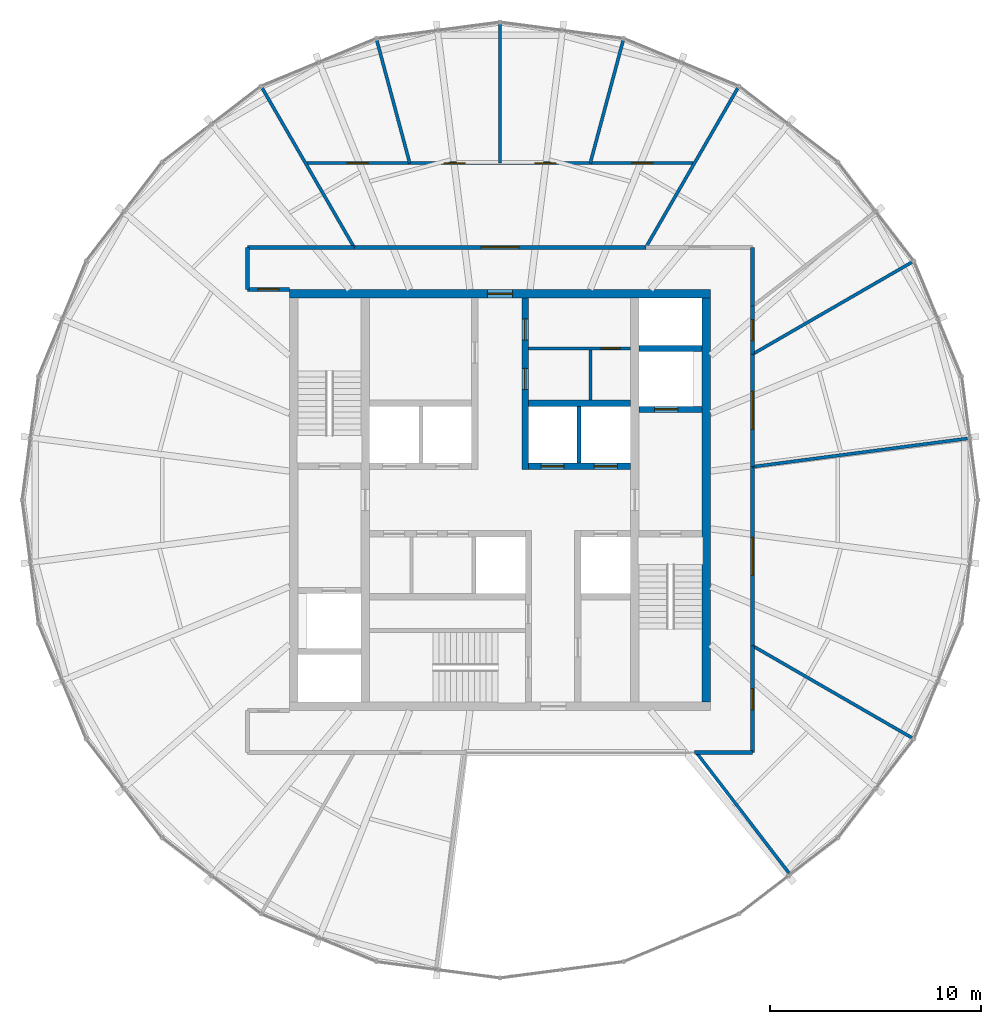
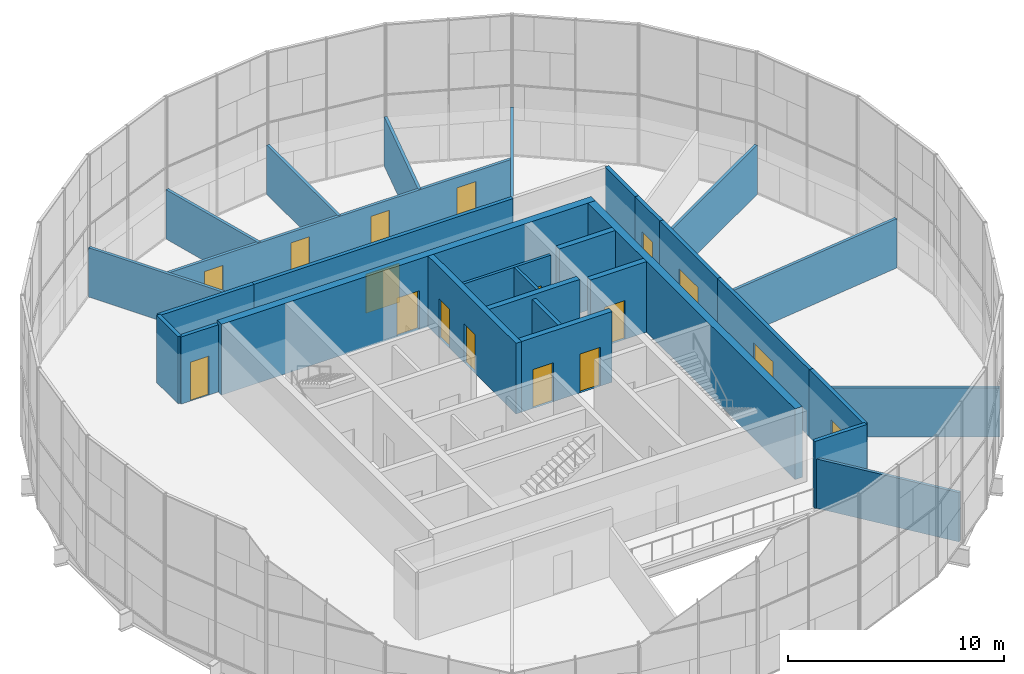
# One storey, part 17 of 19: 30 walls, 17 doors, 17 openings.
"""IFC4 building model written with IfcOpenShell, lengths in metres."""

from ifc_helpers import new_model, si_unit, direction, frame, frame_2d, origin, place, context, subcontext, project, spatial, rectangle, extrude, material, layer, layer_set, type_object, element, fill, save


model = new_model("IFC4")

# Units and contexts
model_context = context("Model", 3, precision=1e-05, world=origin(), true_north=direction((0.0, 1.0)))
body_context = subcontext(model_context, "Body", "Model", "MODEL_VIEW")
ifc_project = project(units=[si_unit("LENGTHUNIT", "METRE"), si_unit("AREAUNIT", "SQUARE_METRE"), si_unit("VOLUMEUNIT", "CUBIC_METRE"), si_unit("PLANEANGLEUNIT", "RADIAN"), si_unit("MASSUNIT", "GRAM", prefix="KILO")], contexts=[model_context])

# Site, building, storey
site_placement = place(None, origin())
site = spatial("IfcSite", under=ifc_project, at=site_placement, CompositionType="ELEMENT")
building_placement = place(site_placement, origin())
building = spatial("IfcBuilding", under=site, at=building_placement, Name="Golbaran Civic Tower", CompositionType="ELEMENT")
storey_placement = place(building_placement, frame((0.0, 0.0, 240.0)))
storey = spatial("IfcBuildingStorey", under=building, at=storey_placement, Name="L58", CompositionType="ELEMENT", Elevation=240.0)

# Wall, opening, door
ifc_material_1 = material(Name="Concrete block", Category="concrete")
ifc_layer_1 = layer(ifc_material_1, 0.14990234375, Name="Concrete block")
ifc_layer_set_1 = layer_set([ifc_layer_1], Name="Concrete block")
wall_type_1 = type_object("IfcWallType", Name="BLOCKWORK PARTITION 150", PredefinedType="PARTITIONING", material=ifc_layer_set_1)
wall_1_placement = place(storey_placement, frame((1.35009765625, 7.199951171875, 0.0), z_axis=(0.0, 0.0, 1.0), x_axis=(1.0, 0.0, 0.0)))
wall_1 = element("IfcWall", 1, at=wall_1_placement, inside=storey, type_object=wall_type_1, Name="Toilet block partition TN1 L58", PredefinedType="PARTITIONING", context=body_context, shape_type="SweptSolid", body=[
    extrude(rectangle(XDim=4.849853515625, YDim=0.14990234375, at=frame_2d((2.4248046875, 0.0))), origin(), (0.0, 0.0, 1.0), 3.75),
])
opening_1_placement = place(wall_1_placement, frame((3.449951171875, 0.0, 0.0)))
opening_1 = element("IfcOpeningElement", 2, at=opening_1_placement, cuts=wall_1, Name="Opening L58.CLN", PredefinedType="OPENING", context=body_context, shape_type="SweptSolid", body=[
    extrude(rectangle(XDim=0.89990234375, YDim=2.199951171875, at=frame_2d((0.449951171875, 1.10009765625))), frame((0.0, 0.0849609375, 0.0), z_axis=(0.0, -1.0, 0.0), x_axis=(1.0, 0.0, 0.0)), (0.0, 0.0, 1.0), 0.169921875),
])
ifc_material_2 = material(Name="Timber door set in steel frame", Category="steel")
door_type_1 = type_object("IfcDoorType", Name="RISER DOOR 900x2200", OperationType="SINGLE_SWING_LEFT", PredefinedType="DOOR", material=ifc_material_2)
door_1_placement = place(opening_1_placement, origin())
door_1 = element("IfcDoor", 3, at=door_1_placement, inside=storey, type_object=door_type_1, Name="Housekeeping Store door", OperationType="SINGLE_SWING_RIGHT", OverallHeight=2.199951171875, OverallWidth=0.89990234375, PredefinedType="DOOR", context=body_context, shape_type="SweptSolid", body=[
    extrude(rectangle(XDim=0.89990234375, YDim=2.199951171875, at=frame_2d((0.449951171875, 1.10009765625))), frame((0.0, 0.02490234375, 0.0), z_axis=(0.0, -1.0, 0.0), x_axis=(1.0, 0.0, 0.0)), (0.0, 0.0, 1.0), 0.050048828125),
])
fill(opening_1, door_1)

# Wall
wall_2_placement = place(storey_placement, frame((4.300048828125, 4.75, 0.0), z_axis=(0.0, 0.0, 1.0), x_axis=(0.0, 1.0, 0.0)))
element("IfcWall", 4, at=wall_2_placement, inside=storey, type_object=wall_type_1, Name="Toilet block partition TN2 L58", PredefinedType="PARTITIONING", context=body_context, shape_type="SweptSolid", body=[
    extrude(rectangle(XDim=2.375, YDim=0.14990234375, at=frame_2d((1.1875, 0.0))), origin(), (0.0, 0.0, 1.0), 3.75),
])

# Wall, opening, door
ifc_material_3 = material(Name="Concrete C50/60", Category="concrete")
ifc_layer_2 = layer(ifc_material_3, 0.39990234375, Name="Concrete C50/60")
ifc_layer_set_2 = layer_set([ifc_layer_2], Name="Concrete C50/60")
wall_type_2 = type_object("IfcWallType", Name="CORE WALL CONCRETE 400", PredefinedType="SOLIDWALL", material=ifc_layer_set_2)
wall_3_placement = place(storey_placement, frame((-10.0, 9.800048828125, 0.0), z_axis=(0.0, 0.0, 1.0), x_axis=(1.0, 0.0, 0.0)))
wall_3 = element("IfcWall", 5, at=wall_3_placement, inside=storey, type_object=wall_type_2, Name="Core wall CN L58", PredefinedType="SOLIDWALL", context=body_context, shape_type="SweptSolid", body=[
    extrude(rectangle(XDim=20.0, YDim=0.39990234375, at=frame_2d((10.0, 0.0))), origin(), (0.0, 0.0, 1.0), 4.0),
])
opening_2_placement = place(wall_3_placement, frame((9.39990234375, 0.0, 0.0)))
opening_2 = element("IfcOpeningElement", 6, at=opening_2_placement, cuts=wall_3, Name="Opening L58.CN", PredefinedType="OPENING", context=body_context, shape_type="SweptSolid", body=[
    extrude(rectangle(XDim=1.199951171875, YDim=2.199951171875, at=frame_2d((0.60009765625, 1.10009765625))), frame((0.0, 0.2099609375, 0.0), z_axis=(0.0, -1.0, 0.0), x_axis=(1.0, 0.0, 0.0)), (0.0, 0.0, 1.0), 0.419921875),
])
door_type_2 = type_object("IfcDoorType", Name="CORE DOOR 1200x2200", OperationType="DOUBLE_DOOR_SINGLE_SWING", PredefinedType="DOOR", material=ifc_material_2)
door_2_placement = place(opening_2_placement, origin())
door_2 = element("IfcDoor", 7, at=door_2_placement, inside=storey, type_object=door_type_2, Name="Core door north", OperationType="DOUBLE_DOOR_SINGLE_SWING", OverallHeight=2.199951171875, OverallWidth=1.199951171875, PredefinedType="DOOR", context=body_context, shape_type="SweptSolid", body=[
    extrude(rectangle(XDim=1.199951171875, YDim=2.199951171875, at=frame_2d((0.60009765625, 1.10009765625))), frame((0.0, 0.02490234375, 0.0), z_axis=(0.0, -1.0, 0.0), x_axis=(1.0, 0.0, 0.0)), (0.0, 0.0, 1.0), 0.050048828125),
])
fill(opening_2, door_2)

# Wall
wall_4_placement = place(storey_placement, frame((9.800048828125, -9.60009765625, 0.0), z_axis=(0.0, 0.0, 1.0), x_axis=(0.0, 1.0, 0.0)))
element("IfcWall", 8, at=wall_4_placement, inside=storey, type_object=wall_type_2, Name="Core wall CE L58", PredefinedType="SOLIDWALL", context=body_context, shape_type="SweptSolid", body=[
    extrude(rectangle(XDim=19.2001953125, YDim=0.39990234375, at=frame_2d((9.60009765625, 0.0))), origin(), (0.0, 0.0, 1.0), 4.0),
])

# Wall, opening, door
ifc_material_4 = material(Name="Gypsum board on steel studs, fire-rated", Category="steel")
ifc_layer_3 = layer(ifc_material_4, 0.199951171875, Name="Gypsum board on steel studs, fire-rated")
ifc_layer_set_3 = layer_set([ifc_layer_3], Name="Gypsum board on steel studs, fire-rated")
wall_type_3 = type_object("IfcWallType", Name="CORRIDOR WALL 200", PredefinedType="PARTITIONING", material=ifc_layer_set_3)
wall_5_placement = place(storey_placement, frame((12.0, -6.92822265625, 0.0), z_axis=(0.0, 0.0, 1.0), x_axis=(0.0, 1.0, 0.0)))
wall_5 = element("IfcWall", 9, at=wall_5_placement, inside=storey, type_object=wall_type_3, Name="Corridor wall L58", PredefinedType="PARTITIONING", context=body_context, shape_type="SweptSolid", body=[
    extrude(rectangle(XDim=8.508056640625, YDim=0.199951171875, at=frame_2d((4.25390625, 0.0))), origin(), (0.0, 0.0, 1.0), 3.800048828125),
])
opening_3_placement = place(wall_5_placement, frame((3.35400390625, 0.0, 0.0)))
opening_3 = element("IfcOpeningElement", 10, at=opening_3_placement, cuts=wall_5, Name="Opening L58.05", PredefinedType="OPENING", context=body_context, shape_type="SweptSolid", body=[
    extrude(rectangle(XDim=1.800048828125, YDim=2.199951171875, at=frame_2d((0.89990234375, 1.10009765625))), frame((0.0, 0.10986328125, 0.0), z_axis=(0.0, -1.0, 0.0), x_axis=(1.0, 0.0, 0.0)), (0.0, 0.0, 1.0), 0.219970703125),
])
door_type_3 = type_object("IfcDoorType", Name="OFFICE DOUBLE DOOR 1800x2200", OperationType="DOUBLE_DOOR_SINGLE_SWING", PredefinedType="DOOR", material=ifc_material_2)
door_3_placement = place(opening_3_placement, origin())
door_3 = element("IfcDoor", 11, at=door_3_placement, inside=storey, type_object=door_type_3, Name="Conference Room door L58", OperationType="DOUBLE_DOOR_SINGLE_SWING", OverallHeight=2.199951171875, OverallWidth=1.800048828125, PredefinedType="DOOR", context=body_context, shape_type="SweptSolid", body=[
    extrude(rectangle(XDim=1.800048828125, YDim=2.199951171875, at=frame_2d((0.89990234375, 1.10009765625))), frame((0.0, 0.02490234375, 0.0), z_axis=(0.0, -1.0, 0.0), x_axis=(1.0, 0.0, 0.0)), (0.0, 0.0, 1.0), 0.050048828125),
])
fill(opening_3, door_3)

wall_6_placement = place(storey_placement, frame((12.0, 1.579833984375, 0.0), z_axis=(0.0, 0.0, 1.0), x_axis=(0.0, 1.0, 0.0)))
wall_6 = element("IfcWall", 12, at=wall_6_placement, inside=storey, type_object=wall_type_3, Name="Corridor wall L58", PredefinedType="PARTITIONING", context=body_context, shape_type="SweptSolid", body=[
    extrude(rectangle(XDim=5.348388671875, YDim=0.199951171875, at=frame_2d((2.67431640625, 0.0))), origin(), (0.0, 0.0, 1.0), 3.800048828125),
])
opening_4_placement = place(wall_6_placement, frame((1.774169921875, 0.0, 0.0)))
opening_4 = element("IfcOpeningElement", 13, at=opening_4_placement, cuts=wall_6, Name="Opening L58.06", PredefinedType="OPENING", context=body_context, shape_type="SweptSolid", body=[
    extrude(rectangle(XDim=1.800048828125, YDim=2.199951171875, at=frame_2d((0.89990234375, 1.10009765625))), frame((0.0, 0.10986328125, 0.0), z_axis=(0.0, -1.0, 0.0), x_axis=(1.0, 0.0, 0.0)), (0.0, 0.0, 1.0), 0.219970703125),
])
door_4_placement = place(opening_4_placement, origin())
door_4 = element("IfcDoor", 14, at=door_4_placement, inside=storey, type_object=door_type_3, Name="Open Office door L58", OperationType="DOUBLE_DOOR_SINGLE_SWING", OverallHeight=2.199951171875, OverallWidth=1.800048828125, PredefinedType="DOOR", context=body_context, shape_type="SweptSolid", body=[
    extrude(rectangle(XDim=1.800048828125, YDim=2.199951171875, at=frame_2d((0.89990234375, 1.10009765625))), frame((0.0, 0.02490234375, 0.0), z_axis=(0.0, -1.0, 0.0), x_axis=(1.0, 0.0, 0.0)), (0.0, 0.0, 1.0), 0.050048828125),
])
fill(opening_4, door_4)

wall_7_placement = place(storey_placement, frame((12.0, 6.92822265625, 0.0), z_axis=(0.0, 0.0, 1.0), x_axis=(0.0, 1.0, 0.0)))
wall_7 = element("IfcWall", 15, at=wall_7_placement, inside=storey, type_object=wall_type_3, Name="Corridor wall L58", PredefinedType="PARTITIONING", context=body_context, shape_type="SweptSolid", body=[
    extrude(rectangle(XDim=2.27978515625, YDim=0.199951171875, at=frame_2d((1.139892578125, 0.0))), origin(), (0.0, 0.0, 1.0), 3.800048828125),
])
opening_5_placement = place(wall_7_placement, frame((0.639892578125, 0.0, 0.0)))
opening_5 = element("IfcOpeningElement", 16, at=opening_5_placement, cuts=wall_7, Name="Opening L58.07", PredefinedType="OPENING", context=body_context, shape_type="SweptSolid", body=[
    extrude(rectangle(XDim=1.0, YDim=2.199951171875, at=frame_2d((0.5, 1.10009765625))), frame((0.0, 0.10986328125, 0.0), z_axis=(0.0, -1.0, 0.0), x_axis=(1.0, 0.0, 0.0)), (0.0, 0.0, 1.0), 0.219970703125),
])
door_type_4 = type_object("IfcDoorType", Name="OFFICE DOOR 1000x2200", OperationType="SINGLE_SWING_LEFT", PredefinedType="DOOR", material=ifc_material_2)
door_5_placement = place(opening_5_placement, origin())
door_5 = element("IfcDoor", 17, at=door_5_placement, inside=storey, type_object=door_type_4, Name="Pantry door L58", OperationType="SINGLE_SWING_LEFT", OverallHeight=2.199951171875, OverallWidth=1.0, PredefinedType="DOOR", context=body_context, shape_type="SweptSolid", body=[
    extrude(rectangle(XDim=1.0, YDim=2.199951171875, at=frame_2d((0.5, 1.10009765625))), frame((0.0, 0.02490234375, 0.0), z_axis=(0.0, -1.0, 0.0), x_axis=(1.0, 0.0, 0.0)), (0.0, 0.0, 1.0), 0.050048828125),
])
fill(opening_5, door_5)

# Wall
wall_8_placement = place(storey_placement, frame((12.0, 9.2080078125, 0.0), z_axis=(0.0, 0.0, 1.0), x_axis=(0.0, 1.0, 0.0)))
element("IfcWall", 18, at=wall_8_placement, inside=storey, type_object=wall_type_3, Name="Corridor wall L58", PredefinedType="PARTITIONING", context=body_context, shape_type="SweptSolid", body=[
    extrude(rectangle(XDim=2.7919921875, YDim=0.199951171875, at=frame_2d((1.39599609375, 0.0))), origin(), (0.0, 0.0, 1.0), 3.800048828125),
])

# Wall, opening, door
wall_9_placement = place(storey_placement, frame((6.92822265625, 12.0, 0.0), z_axis=(0.0, 0.0, 1.0), x_axis=(-1.0, 0.0, 0.0)))
wall_9 = element("IfcWall", 19, at=wall_9_placement, inside=storey, type_object=wall_type_3, Name="Corridor wall L58", PredefinedType="PARTITIONING", context=body_context, shape_type="SweptSolid", body=[
    extrude(rectangle(XDim=13.8564453125, YDim=0.199951171875, at=frame_2d((6.92822265625, 0.0))), origin(), (0.0, 0.0, 1.0), 3.800048828125),
])
opening_6_placement = place(wall_9_placement, frame((6.0283203125, 0.0, 0.0)))
opening_6 = element("IfcOpeningElement", 20, at=opening_6_placement, cuts=wall_9, Name="Opening L58.09", PredefinedType="OPENING", context=body_context, shape_type="SweptSolid", body=[
    extrude(rectangle(XDim=1.800048828125, YDim=2.199951171875, at=frame_2d((0.89990234375, 1.10009765625))), frame((0.0, 0.10986328125, 0.0), z_axis=(0.0, -1.0, 0.0), x_axis=(1.0, 0.0, 0.0)), (0.0, 0.0, 1.0), 0.219970703125),
])
door_6_placement = place(opening_6_placement, origin())
door_6 = element("IfcDoor", 21, at=door_6_placement, inside=storey, type_object=door_type_3, Name="Reception door L58", OperationType="DOUBLE_DOOR_SINGLE_SWING", OverallHeight=2.199951171875, OverallWidth=1.800048828125, PredefinedType="DOOR", context=body_context, shape_type="SweptSolid", body=[
    extrude(rectangle(XDim=1.800048828125, YDim=2.199951171875, at=frame_2d((0.89990234375, 1.10009765625))), frame((0.0, 0.02490234375, 0.0), z_axis=(0.0, -1.0, 0.0), x_axis=(1.0, 0.0, 0.0)), (0.0, 0.0, 1.0), 0.050048828125),
])
fill(opening_6, door_6)

# Walls
wall_10_placement = place(storey_placement, frame((-6.92822265625, 12.0, 0.0), z_axis=(0.0, 0.0, 1.0), x_axis=(-1.0, 0.0, 0.0)))
element("IfcWall", 22, at=wall_10_placement, inside=storey, type_object=wall_type_3, Name="Corridor wall L58", PredefinedType="PARTITIONING", context=body_context, shape_type="SweptSolid", body=[
    extrude(rectangle(XDim=5.07177734375, YDim=0.199951171875, at=frame_2d((2.535888671875, 0.0))), origin(), (0.0, 0.0, 1.0), 3.800048828125),
])
wall_11_placement = place(storey_placement, frame((-12.0, 12.0, 0.0), z_axis=(0.0, 0.0, 1.0), x_axis=(0.0, -1.0, 0.0)))
element("IfcWall", 23, at=wall_11_placement, inside=storey, type_object=wall_type_3, Name="Corridor wall L58", PredefinedType="PARTITIONING", context=body_context, shape_type="SweptSolid", body=[
    extrude(rectangle(XDim=2.0, YDim=0.199951171875, at=frame_2d((1.0, 0.0))), origin(), (0.0, 0.0, 1.0), 3.800048828125),
])
wall_12_placement = place(storey_placement, frame((9.23095703125, -12.0, 0.0), z_axis=(0.0, 0.0, 1.0), x_axis=(1.0, 0.0, 0.0)))
element("IfcWall", 24, at=wall_12_placement, inside=storey, type_object=wall_type_3, Name="Corridor wall L58", PredefinedType="PARTITIONING", context=body_context, shape_type="SweptSolid", body=[
    extrude(rectangle(XDim=2.76904296875, YDim=0.199951171875, at=frame_2d((1.384521484375, 0.0))), origin(), (0.0, 0.0, 1.0), 3.800048828125),
])

# Wall, opening, door
wall_13_placement = place(storey_placement, frame((12.0, -12.0, 0.0), z_axis=(0.0, 0.0, 1.0), x_axis=(0.0, 1.0, 0.0)))
wall_13 = element("IfcWall", 25, at=wall_13_placement, inside=storey, type_object=wall_type_3, Name="Corridor wall L58", PredefinedType="PARTITIONING", context=body_context, shape_type="SweptSolid", body=[
    extrude(rectangle(XDim=5.07177734375, YDim=0.199951171875, at=frame_2d((2.535888671875, 0.0))), origin(), (0.0, 0.0, 1.0), 3.800048828125),
])
opening_7_placement = place(wall_13_placement, frame((2.035888671875, 0.0, 0.0)))
opening_7 = element("IfcOpeningElement", 26, at=opening_7_placement, cuts=wall_13, Name="Opening L58.11", PredefinedType="OPENING", context=body_context, shape_type="SweptSolid", body=[
    extrude(rectangle(XDim=1.0, YDim=2.199951171875, at=frame_2d((0.5, 1.10009765625))), frame((0.0, 0.10986328125, 0.0), z_axis=(0.0, -1.0, 0.0), x_axis=(1.0, 0.0, 0.0)), (0.0, 0.0, 1.0), 0.219970703125),
])
door_7_placement = place(opening_7_placement, origin())
door_7 = element("IfcDoor", 27, at=door_7_placement, inside=storey, type_object=door_type_4, Name="Quiet Room door L58", OperationType="SINGLE_SWING_LEFT", OverallHeight=2.199951171875, OverallWidth=1.0, PredefinedType="DOOR", context=body_context, shape_type="SweptSolid", body=[
    extrude(rectangle(XDim=1.0, YDim=2.199951171875, at=frame_2d((0.5, 1.10009765625))), frame((0.0, 0.02490234375, 0.0), z_axis=(0.0, -1.0, 0.0), x_axis=(1.0, 0.0, 0.0)), (0.0, 0.0, 1.0), 0.050048828125),
])
fill(opening_7, door_7)

wall_14_placement = place(storey_placement, frame((-10.0, 10.0, 0.0), z_axis=(0.0, 0.0, 1.0), x_axis=(-1.0, 0.0, 0.0)))
wall_14 = element("IfcWall", 28, at=wall_14_placement, inside=storey, type_object=wall_type_3, Name="Corridor end wall L58", PredefinedType="PARTITIONING", context=body_context, shape_type="SweptSolid", body=[
    extrude(rectangle(XDim=2.0, YDim=0.199951171875, at=frame_2d((1.0, 0.0))), origin(), (0.0, 0.0, 1.0), 3.800048828125),
])
opening_8_placement = place(wall_14_placement, frame((0.5, 0.0, 0.0)))
opening_8 = element("IfcOpeningElement", 29, at=opening_8_placement, cuts=wall_14, Name="Opening L58.13", PredefinedType="OPENING", context=body_context, shape_type="SweptSolid", body=[
    extrude(rectangle(XDim=1.0, YDim=2.199951171875, at=frame_2d((0.5, 1.10009765625))), frame((0.0, 0.10986328125, 0.0), z_axis=(0.0, -1.0, 0.0), x_axis=(1.0, 0.0, 0.0)), (0.0, 0.0, 1.0), 0.219970703125),
])
door_8_placement = place(opening_8_placement, origin())
door_8 = element("IfcDoor", 30, at=door_8_placement, inside=storey, type_object=door_type_4, Name="Open Office door L58", OperationType="SINGLE_SWING_RIGHT", OverallHeight=2.199951171875, OverallWidth=1.0, PredefinedType="DOOR", context=body_context, shape_type="SweptSolid", body=[
    extrude(rectangle(XDim=1.0, YDim=2.199951171875, at=frame_2d((0.5, 1.10009765625))), frame((0.0, 0.02490234375, 0.0), z_axis=(0.0, -1.0, 0.0), x_axis=(1.0, 0.0, 0.0)), (0.0, 0.0, 1.0), 0.050048828125),
])
fill(opening_8, door_8)

# Walls
ifc_layer_4 = layer(ifc_material_1, 0.199951171875, Name="Concrete block")
ifc_layer_set_4 = layer_set([ifc_layer_4], Name="Concrete block")
wall_type_4 = type_object("IfcWallType", Name="LIFT SEPARATOR WALL 200", PredefinedType="SOLIDWALL", material=ifc_layer_set_4)
wall_15_placement = place(storey_placement, frame((3.75, 1.75, 0.0), z_axis=(0.0, 0.0, 1.0), x_axis=(0.0, 1.0, 0.0)))
element("IfcWall", 31, at=wall_15_placement, inside=storey, type_object=wall_type_4, Name="Core partition SNE L58", PredefinedType="SOLIDWALL", context=body_context, shape_type="SweptSolid", body=[
    extrude(rectangle(XDim=2.699951171875, YDim=0.199951171875, at=frame_2d((1.35009765625, 0.0))), origin(), (0.0, 0.0, 1.0), 3.75),
])
ifc_material_5 = material(Name="Gypsum board on steel studs", Category="steel")
ifc_layer_5 = layer(ifc_material_5, 0.14990234375, Name="Gypsum board on steel studs")
ifc_layer_set_5 = layer_set([ifc_layer_5], Name="Gypsum board on steel studs")
wall_type_5 = type_object("IfcWallType", Name="OFFICE PARTITION 150", PredefinedType="PARTITIONING", material=ifc_layer_set_5)
wall_16_placement = place(storey_placement, frame((12.0, -6.92822265625, 0.0), z_axis=(0.0, 0.0, 1.0), x_axis=(0.866020224182, -0.500008971228, 0.0)))
element("IfcWall", 32, at=wall_16_placement, inside=storey, type_object=wall_type_5, Name="Partition 330 L58", PredefinedType="PARTITIONING", context=body_context, shape_type="SweptSolid", body=[
    extrude(rectangle(XDim=8.752685546875, YDim=0.14990234375, at=frame_2d((4.37646484375, 0.0))), origin(), (0.0, 0.0, 1.0), 2.7900390625),
])
wall_17_placement = place(storey_placement, frame((12.0, 1.579833984375, 0.0), z_axis=(0.0, 0.0, 1.0), x_axis=(0.991445913099, 0.130518203327, 0.0)))
element("IfcWall", 33, at=wall_17_placement, inside=storey, type_object=wall_type_5, Name="Partition 7.5 L58", PredefinedType="PARTITIONING", context=body_context, shape_type="SweptSolid", body=[
    extrude(rectangle(XDim=10.312255859375, YDim=0.14990234375, at=frame_2d((5.15625, 0.0))), origin(), (0.0, 0.0, 1.0), 2.7900390625),
])
for number, where, z_axis, x_axis, name in (
    (34, (12.0, 6.92822265625, 0.0), (0.0, 0.0, 1.0), (0.866020224182, 0.500008971228, 0.0), "Partition 30 L58"),
    (35, (6.92822265625, 12.0, 0.0), (0.0, 0.0, 1.0), (0.500008971228, 0.866020224182, 0.0), "Partition 60 L58"),
    (36, (-6.92822265625, 12.0, 0.0), (0.0, 0.0, 1.0), (-0.500008971228, 0.866020224182, 0.0), "Partition 120 L58"),
):
    element("IfcWall", number, at=place(storey_placement, frame(where, z_axis=z_axis, x_axis=x_axis)), inside=storey, type_object=wall_type_5, Name=name, PredefinedType="PARTITIONING", context=body_context, shape_type="SweptSolid", body=[
        extrude(rectangle(XDim=8.752685546875, YDim=0.14990234375, at=frame_2d((4.37646484375, 0.0))), origin(), (0.0, 0.0, 1.0), 2.7900390625),
    ])
wall_18_placement = place(storey_placement, frame((9.290283203125, -11.954345703125, 0.0), z_axis=(0.0, 0.0, 1.0), x_axis=(0.609736705343, -0.792604031126, 0.0)))
element("IfcWall", 37, at=wall_18_placement, inside=storey, type_object=wall_type_5, Name="Partition 307.569 L58", PredefinedType="PARTITIONING", context=body_context, shape_type="SweptSolid", body=[
    extrude(rectangle(XDim=7.276123046875, YDim=0.14990234375, at=frame_2d((3.63818359375, 0.0))), origin(), (0.0, 0.0, 1.0), 2.7900390625),
])

# Wall, openings, doors
wall_19_placement = place(storey_placement, frame((9.237548828125, 16.0, 0.0), z_axis=(0.0, 0.0, 1.0), x_axis=(-1.0, 0.0, 0.0)))
wall_19 = element("IfcWall", 38, at=wall_19_placement, inside=storey, type_object=wall_type_5, Name="Suite partition L58", PredefinedType="PARTITIONING", context=body_context, shape_type="SweptSolid", body=[
    extrude(rectangle(XDim=18.47509765625, YDim=0.14990234375, at=frame_2d((9.237548828125, 0.0))), origin(), (0.0, 0.0, 1.0), 2.7900390625),
])
opening_9_placement = place(wall_19_placement, frame((1.97509765625, 0.0, 0.0)))
opening_9 = element("IfcOpeningElement", 39, at=opening_9_placement, cuts=wall_19, Name="Opening L58.01", PredefinedType="OPENING", context=body_context, shape_type="SweptSolid", body=[
    extrude(rectangle(XDim=1.0, YDim=2.199951171875, at=frame_2d((0.5, 1.10009765625))), frame((0.0, 0.0849609375, 0.0), z_axis=(0.0, -1.0, 0.0), x_axis=(1.0, 0.0, 0.0)), (0.0, 0.0, 1.0), 0.169921875),
])
opening_10_placement = place(wall_19_placement, frame((6.593994140625, 0.0, 0.0)))
opening_10 = element("IfcOpeningElement", 40, at=opening_10_placement, cuts=wall_19, Name="Opening L58.02", PredefinedType="OPENING", context=body_context, shape_type="SweptSolid", body=[
    extrude(rectangle(XDim=1.0, YDim=2.199951171875, at=frame_2d((0.5, 1.10009765625))), frame((0.0, 0.0849609375, 0.0), z_axis=(0.0, -1.0, 0.0), x_axis=(1.0, 0.0, 0.0)), (0.0, 0.0, 1.0), 0.169921875),
])
opening_11_placement = place(wall_19_placement, frame((10.881103515625, 0.0, 0.0)))
opening_11 = element("IfcOpeningElement", 41, at=opening_11_placement, cuts=wall_19, Name="Opening L58.03", PredefinedType="OPENING", context=body_context, shape_type="SweptSolid", body=[
    extrude(rectangle(XDim=1.0, YDim=2.199951171875, at=frame_2d((0.5, 1.10009765625))), frame((0.0, 0.0849609375, 0.0), z_axis=(0.0, -1.0, 0.0), x_axis=(1.0, 0.0, 0.0)), (0.0, 0.0, 1.0), 0.169921875),
])
opening_12_placement = place(wall_19_placement, frame((15.5, 0.0, 0.0)))
opening_12 = element("IfcOpeningElement", 42, at=opening_12_placement, cuts=wall_19, Name="Opening L58.04", PredefinedType="OPENING", context=body_context, shape_type="SweptSolid", body=[
    extrude(rectangle(XDim=1.0, YDim=2.199951171875, at=frame_2d((0.5, 1.10009765625))), frame((0.0, 0.0849609375, 0.0), z_axis=(0.0, -1.0, 0.0), x_axis=(1.0, 0.0, 0.0)), (0.0, 0.0, 1.0), 0.169921875),
])
door_9_placement = place(opening_9_placement, origin())
door_9 = element("IfcDoor", 43, at=door_9_placement, inside=storey, type_object=door_type_4, Name="Deputy Minister's Office door L58", OperationType="SINGLE_SWING_LEFT", OverallHeight=2.199951171875, OverallWidth=1.0, PredefinedType="DOOR", context=body_context, shape_type="SweptSolid", body=[
    extrude(rectangle(XDim=1.0, YDim=2.199951171875, at=frame_2d((0.5, 1.10009765625))), frame((0.0, 0.02490234375, 0.0), z_axis=(0.0, -1.0, 0.0), x_axis=(1.0, 0.0, 0.0)), (0.0, 0.0, 1.0), 0.050048828125),
])
fill(opening_9, door_9)
door_10_placement = place(opening_10_placement, origin())
door_10 = element("IfcDoor", 44, at=door_10_placement, inside=storey, type_object=door_type_4, Name="Office door L58", OperationType="SINGLE_SWING_LEFT", OverallHeight=2.199951171875, OverallWidth=1.0, PredefinedType="DOOR", context=body_context, shape_type="SweptSolid", body=[
    extrude(rectangle(XDim=1.0, YDim=2.199951171875, at=frame_2d((0.5, 1.10009765625))), frame((0.0, 0.02490234375, 0.0), z_axis=(0.0, -1.0, 0.0), x_axis=(1.0, 0.0, 0.0)), (0.0, 0.0, 1.0), 0.050048828125),
])
fill(opening_10, door_10)
door_11_placement = place(opening_11_placement, origin())
door_11 = element("IfcDoor", 45, at=door_11_placement, inside=storey, type_object=door_type_4, Name="Private Meeting Room door L58", OperationType="SINGLE_SWING_RIGHT", OverallHeight=2.199951171875, OverallWidth=1.0, PredefinedType="DOOR", context=body_context, shape_type="SweptSolid", body=[
    extrude(rectangle(XDim=1.0, YDim=2.199951171875, at=frame_2d((0.5, 1.10009765625))), frame((0.0, 0.02490234375, 0.0), z_axis=(0.0, -1.0, 0.0), x_axis=(1.0, 0.0, 0.0)), (0.0, 0.0, 1.0), 0.050048828125),
])
fill(opening_11, door_11)
door_12_placement = place(opening_12_placement, origin())
door_12 = element("IfcDoor", 46, at=door_12_placement, inside=storey, type_object=door_type_4, Name="Deputy Minister's Office door L58", OperationType="SINGLE_SWING_RIGHT", OverallHeight=2.199951171875, OverallWidth=1.0, PredefinedType="DOOR", context=body_context, shape_type="SweptSolid", body=[
    extrude(rectangle(XDim=1.0, YDim=2.199951171875, at=frame_2d((0.5, 1.10009765625))), frame((0.0, 0.02490234375, 0.0), z_axis=(0.0, -1.0, 0.0), x_axis=(1.0, 0.0, 0.0)), (0.0, 0.0, 1.0), 0.050048828125),
])
fill(opening_12, door_12)

# Walls
wall_20_placement = place(storey_placement, frame((4.287109375, 16.0, 0.0), z_axis=(0.0, 0.0, 1.0), x_axis=(0.258846444451, 0.965918484239, 0.0)))
element("IfcWall", 47, at=wall_20_placement, inside=storey, type_object=wall_type_5, Name="Partition 75 L58", PredefinedType="PARTITIONING", context=body_context, shape_type="SweptSolid", body=[
    extrude(rectangle(XDim=6.044921875, YDim=0.14990234375, at=frame_2d((3.0224609375, 0.0))), origin(), (0.0, 0.0, 1.0), 2.7900390625),
])
wall_21_placement = place(storey_placement, frame((0.0, 16.0, 0.0), z_axis=(0.0, 0.0, 1.0), x_axis=(0.0, 1.0, 0.0)))
element("IfcWall", 48, at=wall_21_placement, inside=storey, type_object=wall_type_5, Name="Partition 90 L58", PredefinedType="PARTITIONING", context=body_context, shape_type="SweptSolid", body=[
    extrude(rectangle(XDim=6.609130859375, YDim=0.14990234375, at=frame_2d((3.3046875, 0.0))), origin(), (0.0, 0.0, 1.0), 2.7900390625),
])
wall_22_placement = place(storey_placement, frame((-4.287109375, 16.0, 0.0), z_axis=(0.0, 0.0, 1.0), x_axis=(-0.258846444451, 0.965918484239, 0.0)))
element("IfcWall", 49, at=wall_22_placement, inside=storey, type_object=wall_type_5, Name="Partition 105 L58", PredefinedType="PARTITIONING", context=body_context, shape_type="SweptSolid", body=[
    extrude(rectangle(XDim=6.044921875, YDim=0.14990234375, at=frame_2d((3.0224609375, 0.0))), origin(), (0.0, 0.0, 1.0), 2.7900390625),
])

# Wall, openings, doors
ifc_layer_6 = layer(ifc_material_3, 0.300048828125, Name="Concrete C50/60")
ifc_layer_set_6 = layer_set([ifc_layer_6], Name="Concrete C50/60")
wall_type_6 = type_object("IfcWallType", Name="SHAFT WALL CONCRETE 300", PredefinedType="SOLIDWALL", material=ifc_layer_set_6)
wall_23_placement = place(storey_placement, frame((1.35009765625, 1.60009765625, 0.0), z_axis=(0.0, 0.0, 1.0), x_axis=(1.0, 0.0, 0.0)))
wall_23 = element("IfcWall", 50, at=wall_23_placement, inside=storey, type_object=wall_type_6, Name="Core wall FNE L58", PredefinedType="SOLIDWALL", context=body_context, shape_type="SweptSolid", body=[
    extrude(rectangle(XDim=4.849853515625, YDim=0.300048828125, at=frame_2d((2.4248046875, 0.0))), origin(), (0.0, 0.0, 1.0), 4.0),
])
opening_13_placement = place(wall_23_placement, frame((0.60009765625, 0.0, 0.0)))
opening_13 = element("IfcOpeningElement", 51, at=opening_13_placement, cuts=wall_23, Name="Opening L58.LD-Z3T", PredefinedType="OPENING", context=body_context, shape_type="SweptSolid", body=[
    extrude(rectangle(XDim=1.10009765625, YDim=2.199951171875, at=frame_2d((0.550048828125, 1.10009765625))), frame((0.0, 0.159912109375, 0.0), z_axis=(0.0, -1.0, 0.0), x_axis=(1.0, 0.0, 0.0)), (0.0, 0.0, 1.0), 0.320068359375),
])
opening_14_placement = place(wall_23_placement, frame((3.125, 0.0, 0.0)))
opening_14 = element("IfcOpeningElement", 52, at=opening_14_placement, cuts=wall_23, Name="Opening L58.LD-Z4T", PredefinedType="OPENING", context=body_context, shape_type="SweptSolid", body=[
    extrude(rectangle(XDim=1.10009765625, YDim=2.199951171875, at=frame_2d((0.550048828125, 1.10009765625))), frame((0.0, 0.159912109375, 0.0), z_axis=(0.0, -1.0, 0.0), x_axis=(1.0, 0.0, 0.0)), (0.0, 0.0, 1.0), 0.320068359375),
])
ifc_material_6 = material(Name="Stainless steel", Category="steel")
door_type_5 = type_object("IfcDoorType", Name="LIFT LANDING DOOR 1100x2200", OperationType="SLIDING_TO_LEFT", PredefinedType="DOOR", material=ifc_material_6)
door_13_placement = place(opening_13_placement, origin())
door_13 = element("IfcDoor", 53, at=door_13_placement, inside=storey, type_object=door_type_5, Name="Lift landing door Z3T", OperationType="SLIDING_TO_LEFT", OverallHeight=2.199951171875, OverallWidth=1.10009765625, PredefinedType="DOOR", context=body_context, shape_type="SweptSolid", body=[
    extrude(rectangle(XDim=1.10009765625, YDim=2.199951171875, at=frame_2d((0.550048828125, 1.10009765625))), frame((0.0, 0.02490234375, 0.0), z_axis=(0.0, -1.0, 0.0), x_axis=(1.0, 0.0, 0.0)), (0.0, 0.0, 1.0), 0.050048828125),
])
fill(opening_13, door_13)
door_14_placement = place(opening_14_placement, origin())
door_14 = element("IfcDoor", 54, at=door_14_placement, inside=storey, type_object=door_type_5, Name="Lift landing door Z4T", OperationType="SLIDING_TO_LEFT", OverallHeight=2.199951171875, OverallWidth=1.10009765625, PredefinedType="DOOR", context=body_context, shape_type="SweptSolid", body=[
    extrude(rectangle(XDim=1.10009765625, YDim=2.199951171875, at=frame_2d((0.550048828125, 1.10009765625))), frame((0.0, 0.02490234375, 0.0), z_axis=(0.0, -1.0, 0.0), x_axis=(1.0, 0.0, 0.0)), (0.0, 0.0, 1.0), 0.050048828125),
])
fill(opening_14, door_14)

# Wall
wall_24_placement = place(storey_placement, frame((1.35009765625, 4.60009765625, 0.0), z_axis=(0.0, 0.0, 1.0), x_axis=(1.0, 0.0, 0.0)))
element("IfcWall", 55, at=wall_24_placement, inside=storey, type_object=wall_type_6, Name="Core wall BNE L58", PredefinedType="SOLIDWALL", context=body_context, shape_type="SweptSolid", body=[
    extrude(rectangle(XDim=4.849853515625, YDim=0.300048828125, at=frame_2d((2.4248046875, 0.0))), origin(), (0.0, 0.0, 1.0), 4.0),
])

# Wall, openings, doors
wall_25_placement = place(storey_placement, frame((1.199951171875, 1.449951171875, 0.0), z_axis=(0.0, 0.0, 1.0), x_axis=(0.0, 1.0, 0.0)))
wall_25 = element("IfcWall", 56, at=wall_25_placement, inside=storey, type_object=wall_type_6, Name="Core wall PNE L58", PredefinedType="SOLIDWALL", context=body_context, shape_type="SweptSolid", body=[
    extrude(rectangle(XDim=8.150146484375, YDim=0.300048828125, at=frame_2d((4.0751953125, 0.0))), origin(), (0.0, 0.0, 1.0), 4.0),
])
opening_15_placement = place(wall_25_placement, frame((3.800048828125, 0.0, 0.0)))
opening_15 = element("IfcOpeningElement", 57, at=opening_15_placement, cuts=wall_25, Name="Opening L58.WCA", PredefinedType="OPENING", context=body_context, shape_type="SweptSolid", body=[
    extrude(rectangle(XDim=1.0, YDim=2.199951171875, at=frame_2d((0.5, 1.10009765625))), frame((0.0, 0.159912109375, 0.0), z_axis=(0.0, -1.0, 0.0), x_axis=(1.0, 0.0, 0.0)), (0.0, 0.0, 1.0), 0.320068359375),
])
opening_16_placement = place(wall_25_placement, frame((6.14990234375, 0.0, 0.0)))
opening_16 = element("IfcOpeningElement", 58, at=opening_16_placement, cuts=wall_25, Name="Opening L58.WCF", PredefinedType="OPENING", context=body_context, shape_type="SweptSolid", body=[
    extrude(rectangle(XDim=1.0, YDim=2.199951171875, at=frame_2d((0.5, 1.10009765625))), frame((0.0, 0.159912109375, 0.0), z_axis=(0.0, -1.0, 0.0), x_axis=(1.0, 0.0, 0.0)), (0.0, 0.0, 1.0), 0.320068359375),
])
door_type_6 = type_object("IfcDoorType", Name="TOILET DOOR 1000x2200", OperationType="SINGLE_SWING_LEFT", PredefinedType="DOOR", material=ifc_material_2)
door_15_placement = place(opening_15_placement, origin())
door_15 = element("IfcDoor", 59, at=door_15_placement, inside=storey, type_object=door_type_6, Name="Accessible WC door", OperationType="SINGLE_SWING_RIGHT", OverallHeight=2.199951171875, OverallWidth=1.0, PredefinedType="DOOR", context=body_context, shape_type="SweptSolid", body=[
    extrude(rectangle(XDim=1.0, YDim=2.199951171875, at=frame_2d((0.5, 1.10009765625))), frame((0.0, 0.02490234375, 0.0), z_axis=(0.0, -1.0, 0.0), x_axis=(1.0, 0.0, 0.0)), (0.0, 0.0, 1.0), 0.050048828125),
])
fill(opening_15, door_15)
door_16_placement = place(opening_16_placement, origin())
door_16 = element("IfcDoor", 60, at=door_16_placement, inside=storey, type_object=door_type_6, Name="North-east toilet block door", OperationType="SINGLE_SWING_RIGHT", OverallHeight=2.199951171875, OverallWidth=1.0, PredefinedType="DOOR", context=body_context, shape_type="SweptSolid", body=[
    extrude(rectangle(XDim=1.0, YDim=2.199951171875, at=frame_2d((0.5, 1.10009765625))), frame((0.0, 0.02490234375, 0.0), z_axis=(0.0, -1.0, 0.0), x_axis=(1.0, 0.0, 0.0)), (0.0, 0.0, 1.0), 0.050048828125),
])
fill(opening_16, door_16)

# Wall, opening, door
wall_26_placement = place(storey_placement, frame((6.60009765625, 4.300048828125, 0.0), z_axis=(0.0, 0.0, 1.0), x_axis=(1.0, 0.0, 0.0)))
wall_26 = element("IfcWall", 61, at=wall_26_placement, inside=storey, type_object=wall_type_6, Name="Core wall XE2 L58", PredefinedType="SOLIDWALL", context=body_context, shape_type="SweptSolid", body=[
    extrude(rectangle(XDim=3.0, YDim=0.300048828125, at=frame_2d((1.5, 0.0))), origin(), (0.0, 0.0, 1.0), 4.0),
])
opening_17_placement = place(wall_26_placement, frame((0.75, 0.0, 0.0)))
opening_17 = element("IfcOpeningElement", 62, at=opening_17_placement, cuts=wall_26, Name="Opening L58.LD-F2", PredefinedType="OPENING", context=body_context, shape_type="SweptSolid", body=[
    extrude(rectangle(XDim=1.10009765625, YDim=2.199951171875, at=frame_2d((0.550048828125, 1.10009765625))), frame((0.0, 0.159912109375, 0.0), z_axis=(0.0, -1.0, 0.0), x_axis=(1.0, 0.0, 0.0)), (0.0, 0.0, 1.0), 0.320068359375),
])
door_17_placement = place(opening_17_placement, origin())
door_17 = element("IfcDoor", 63, at=door_17_placement, inside=storey, type_object=door_type_5, Name="Lift landing door F2", OperationType="SLIDING_TO_LEFT", OverallHeight=2.199951171875, OverallWidth=1.10009765625, PredefinedType="DOOR", context=body_context, shape_type="SweptSolid", body=[
    extrude(rectangle(XDim=1.10009765625, YDim=2.199951171875, at=frame_2d((0.550048828125, 1.10009765625))), frame((0.0, 0.02490234375, 0.0), z_axis=(0.0, -1.0, 0.0), x_axis=(1.0, 0.0, 0.0)), (0.0, 0.0, 1.0), 0.050048828125),
])
fill(opening_17, door_17)

# Wall
wall_27_placement = place(storey_placement, frame((6.60009765625, 7.199951171875, 0.0), z_axis=(0.0, 0.0, 1.0), x_axis=(1.0, 0.0, 0.0)))
element("IfcWall", 64, at=wall_27_placement, inside=storey, type_object=wall_type_6, Name="Core wall XE3 L58", PredefinedType="SOLIDWALL", context=body_context, shape_type="SweptSolid", body=[
    extrude(rectangle(XDim=3.0, YDim=0.300048828125, at=frame_2d((1.5, 0.0))), origin(), (0.0, 0.0, 1.0), 4.0),
])

save(model, "model.ifc")
